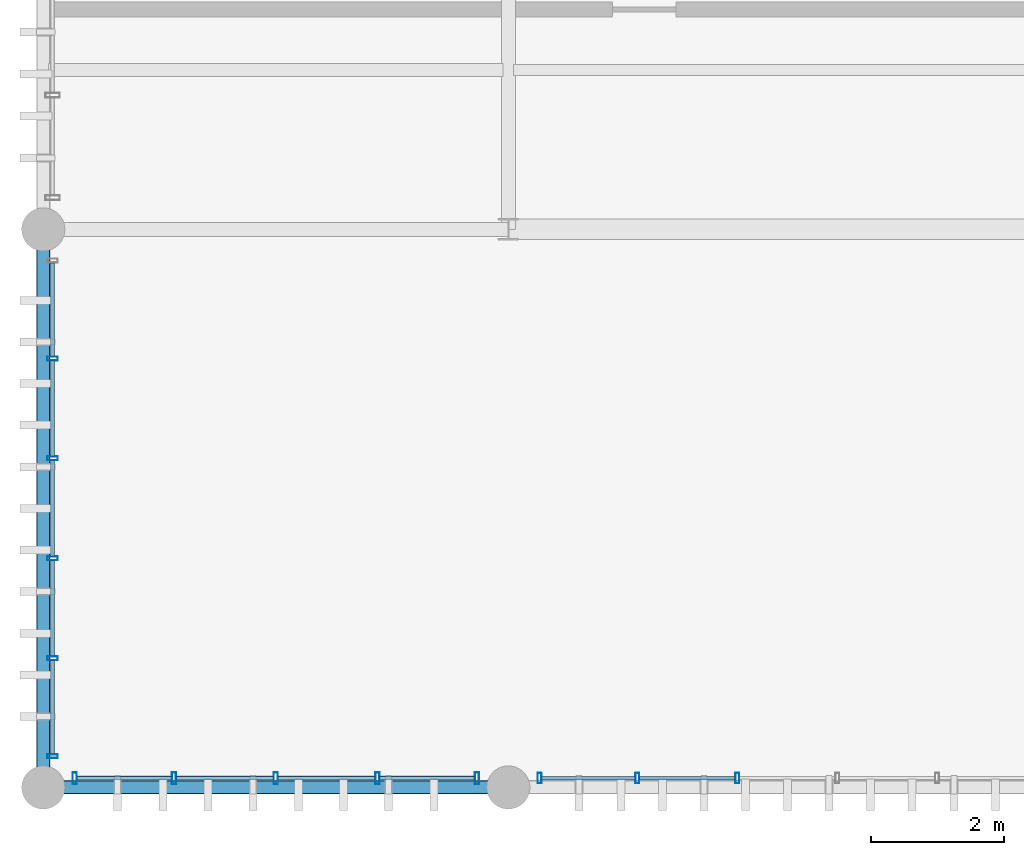
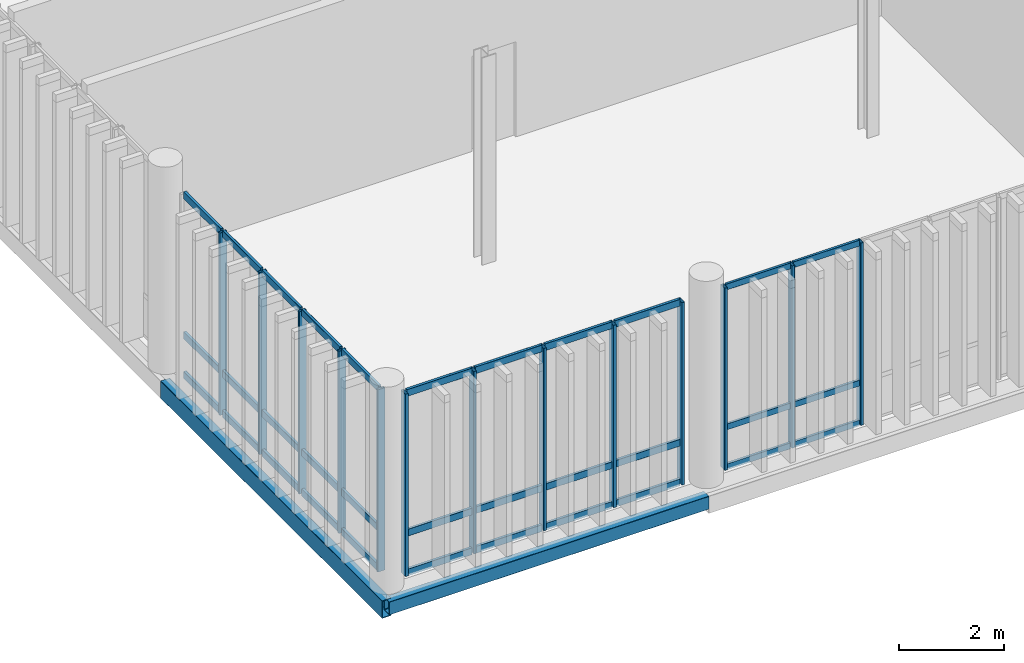
# One storey, part 7 of 86: 46 members, 2 beams, 3 elements without a shape of their own.
"""IFC4 building model written with IfcOpenShell, lengths in metres."""

from ifc_helpers import new_model, si_unit, direction, frame, origin_with_axes, origin_2d_with_axis, place, context, subcontext, project, spatial, hollow_rectangle, extrude, material, material_profile, profile_set, type_object, element, aggregate, save


model = new_model("IFC4")

# Units and contexts
model_context = context("Model", 3, precision=1e-05, world=origin_with_axes(), true_north=direction((0.0, 1.0)))
body_context = subcontext(model_context, "Body", "Model", "MODEL_VIEW")
ifc_project = project(units=[si_unit("LENGTHUNIT", "METRE"), si_unit("AREAUNIT", "SQUARE_METRE"), si_unit("VOLUMEUNIT", "CUBIC_METRE"), si_unit("PLANEANGLEUNIT", "RADIAN"), si_unit("MASSUNIT", "GRAM", prefix="KILO"), si_unit("THERMODYNAMICTEMPERATUREUNIT", "KELVIN")], contexts=[model_context])

# Site, building, storey
site_placement = place(None, origin_with_axes())
site = spatial("IfcSite", under=ifc_project, at=site_placement, CompositionType="ELEMENT")
building_placement = place(site_placement, origin_with_axes())
building = spatial("IfcBuilding", under=site, at=building_placement, Name="Montbau Bow Law Courts", CompositionType="ELEMENT")
storey_placement = place(building_placement, frame((0.0, 0.0, 29.7), z_axis=(0.0, 0.0, 1.0), x_axis=(1.0, 0.0, 0.0)))
storey = spatial("IfcBuildingStorey", under=building, at=storey_placement, Name="L06", CompositionType="ELEMENT", Elevation=29.7)

# Beams
ifc_material_1 = material(Name="Steel CSA G40.21 Grade 350WT (350 MPa)", Category="steel")
ifc_material_profile_1 = material_profile(ifc_material_1, hollow_rectangle(XDim=0.203, YDim=0.406, WallThickness=0.0127, InnerFilletRadius=0.0254, OuterFilletRadius=0.0127, at=origin_2d_with_axis()), Name="HSS406X203X13", Category="Main", Priority=0)
ifc_profile_set_1 = profile_set([ifc_material_profile_1], Name="Steel CSA G40.21 Grade 350WT (350 MPa)")
beam_type_1 = type_object("IfcBeamType", Name="B-SPN-01", PredefinedType="SPANDREL", material=ifc_profile_set_1)
beam_1_placement = place(None, frame((6.8, 30.6, 29.157), z_axis=(0.0, 1.0, 0.0), x_axis=(-1.0, 0.0, 0.0)))
element("IfcBeam", 1, at=beam_1_placement, inside=storey, type_object=beam_type_1, Name="SPN-L06-S0691:bm2_0694", PredefinedType="SPANDREL", context=body_context, shape_type="SweptSolid", body=[
    extrude(hollow_rectangle(XDim=0.203, YDim=0.406, WallThickness=0.0127, InnerFilletRadius=0.0254, OuterFilletRadius=0.0127, at=origin_2d_with_axis()), origin_with_axes(), (0.0, 0.0, 1.0), 8.4),
])
ifc_material_profile_2 = material_profile(ifc_material_1, hollow_rectangle(XDim=0.203, YDim=0.305, WallThickness=0.0127, InnerFilletRadius=0.0254, OuterFilletRadius=0.0127, at=origin_2d_with_axis()), Name="HSS305X203X13", Category="Main", Priority=0)
ifc_profile_set_2 = profile_set([ifc_material_profile_2], Name="Steel CSA G40.21 Grade 350WT (350 MPa)")
beam_type_2 = type_object("IfcBeamType", Name="B-SPN-02", PredefinedType="SPANDREL", material=ifc_profile_set_2)
beam_2_placement = place(None, frame((6.8, 30.6, 29.207), z_axis=(1.0, 0.0, 0.0), x_axis=(0.0, 1.0, 0.0)))
element("IfcBeam", 2, at=beam_2_placement, inside=storey, type_object=beam_type_2, Name="SPN-L06-S0666:bm2_0669", PredefinedType="SPANDREL", context=body_context, shape_type="SweptSolid", body=[
    extrude(hollow_rectangle(XDim=0.203, YDim=0.305, WallThickness=0.0127, InnerFilletRadius=0.0254, OuterFilletRadius=0.0127, at=origin_2d_with_axis()), origin_with_axes(), (0.0, 0.0, 1.0), 7.0),
])

# Curtain wall, members
ifc_material_2 = material(Name="Thermally Broken Extruded Aluminium AA 6063-T6", Category="aluminium")
curtain_wall_type = type_object("IfcCurtainWallType", Name="CW-TRC-02", PredefinedType="NOTDEFINED", material=ifc_material_2)
curtain_wall_1_placement = place(None, frame((7.24, 30.74, 29.7), z_axis=(0.0, 0.0, 1.0), x_axis=(1.0, 0.0, 0.0)))
curtain_wall_1 = element("IfcCurtainWall", 3, at=curtain_wall_1_placement, inside=storey, type_object=curtain_wall_type, Name="CW-L06-094:cw_0094", PredefinedType="NOTDEFINED")
ifc_material_profile_3 = material_profile(ifc_material_2, hollow_rectangle(XDim=0.065, YDim=0.18, WallThickness=0.005, InnerFilletRadius=0.01, OuterFilletRadius=0.005, at=origin_2d_with_axis()), Name="CWM-180X65", Category="Main", Priority=0)
ifc_profile_set_3 = profile_set([ifc_material_profile_3], Name="Thermally Broken Extruded Aluminium AA 6063-T6")
member_type_1 = type_object("IfcMemberType", Name="M-MUL-02", PredefinedType="MULLION", material=ifc_profile_set_3)
member_1_placement = place(None, frame((7.273, 30.74, 29.7), z_axis=(0.0, 0.0, 1.0), x_axis=(1.0, 0.0, 0.0)))
member_1 = element("IfcMember", 4, at=member_1_placement, type_object=member_type_1, Name="CW-L06-094-M01:cw_0094_M01", PredefinedType="MULLION", context=body_context, shape_type="SweptSolid", body=[
    extrude(hollow_rectangle(XDim=0.065, YDim=0.18, WallThickness=0.005, InnerFilletRadius=0.01, OuterFilletRadius=0.005, at=origin_2d_with_axis()), origin_with_axes(), (0.0, 0.0, 1.0), 4.22),
])
member_2_placement = place(None, frame((8.77, 30.74, 29.7), z_axis=(0.0, 0.0, 1.0), x_axis=(1.0, 0.0, 0.0)))
member_2 = element("IfcMember", 5, at=member_2_placement, type_object=member_type_1, Name="CW-L06-094-M02:cw_0094_M02", PredefinedType="MULLION", context=body_context, shape_type="SweptSolid", body=[
    extrude(hollow_rectangle(XDim=0.065, YDim=0.18, WallThickness=0.005, InnerFilletRadius=0.01, OuterFilletRadius=0.005, at=origin_2d_with_axis()), origin_with_axes(), (0.0, 0.0, 1.0), 4.22),
])
member_3_placement = place(None, frame((10.3, 30.74, 29.7), z_axis=(0.0, 0.0, 1.0), x_axis=(1.0, 0.0, 0.0)))
member_3 = element("IfcMember", 6, at=member_3_placement, type_object=member_type_1, Name="CW-L06-094-M03:cw_0094_M03", PredefinedType="MULLION", context=body_context, shape_type="SweptSolid", body=[
    extrude(hollow_rectangle(XDim=0.065, YDim=0.18, WallThickness=0.005, InnerFilletRadius=0.01, OuterFilletRadius=0.005, at=origin_2d_with_axis()), origin_with_axes(), (0.0, 0.0, 1.0), 4.22),
])
member_4_placement = place(None, frame((11.83, 30.74, 29.7), z_axis=(0.0, 0.0, 1.0), x_axis=(1.0, 0.0, 0.0)))
member_4 = element("IfcMember", 7, at=member_4_placement, type_object=member_type_1, Name="CW-L06-094-M04:cw_0094_M04", PredefinedType="MULLION", context=body_context, shape_type="SweptSolid", body=[
    extrude(hollow_rectangle(XDim=0.065, YDim=0.18, WallThickness=0.005, InnerFilletRadius=0.01, OuterFilletRadius=0.005, at=origin_2d_with_axis()), origin_with_axes(), (0.0, 0.0, 1.0), 4.22),
])
member_5_placement = place(None, frame((13.327, 30.74, 29.7), z_axis=(0.0, 0.0, 1.0), x_axis=(1.0, 0.0, 0.0)))
member_5 = element("IfcMember", 8, at=member_5_placement, type_object=member_type_1, Name="CW-L06-094-M05:cw_0094_M05", PredefinedType="MULLION", context=body_context, shape_type="SweptSolid", body=[
    extrude(hollow_rectangle(XDim=0.065, YDim=0.18, WallThickness=0.005, InnerFilletRadius=0.01, OuterFilletRadius=0.005, at=origin_2d_with_axis()), origin_with_axes(), (0.0, 0.0, 1.0), 4.22),
])

curtain_wall_2_placement = place(None, frame((14.24, 30.74, 29.7), z_axis=(0.0, 0.0, 1.0), x_axis=(1.0, 0.0, 0.0)))
curtain_wall_2 = element("IfcCurtainWall", 9, at=curtain_wall_2_placement, inside=storey, type_object=curtain_wall_type, Name="CW-L06-095:cw_0095", PredefinedType="NOTDEFINED")
ifc_material_profile_4 = material_profile(ifc_material_2, hollow_rectangle(XDim=0.06, YDim=0.16, WallThickness=0.004, InnerFilletRadius=0.008, OuterFilletRadius=0.004, at=origin_2d_with_axis()), Name="CWM-160X60", Category="Main", Priority=0)
ifc_profile_set_4 = profile_set([ifc_material_profile_4], Name="Thermally Broken Extruded Aluminium AA 6063-T6")
member_type_2 = type_object("IfcMemberType", Name="M-MUL-03", PredefinedType="MULLION", material=ifc_profile_set_4)
member_6_placement = place(None, frame((14.27, 30.74, 29.7), z_axis=(0.0, 0.0, 1.0), x_axis=(1.0, 0.0, 0.0)))
member_6 = element("IfcMember", 10, at=member_6_placement, type_object=member_type_2, Name="CW-L06-095-M01:cw_0095_M01", PredefinedType="MULLION", context=body_context, shape_type="SweptSolid", body=[
    extrude(hollow_rectangle(XDim=0.06, YDim=0.16, WallThickness=0.004, InnerFilletRadius=0.008, OuterFilletRadius=0.004, at=origin_2d_with_axis()), origin_with_axes(), (0.0, 0.0, 1.0), 4.22),
])
member_7_placement = place(None, frame((15.744, 30.74, 29.7), z_axis=(0.0, 0.0, 1.0), x_axis=(1.0, 0.0, 0.0)))
member_7 = element("IfcMember", 11, at=member_7_placement, type_object=member_type_2, Name="CW-L06-095-M02:cw_0095_M02", PredefinedType="MULLION", context=body_context, shape_type="SweptSolid", body=[
    extrude(hollow_rectangle(XDim=0.06, YDim=0.16, WallThickness=0.004, InnerFilletRadius=0.008, OuterFilletRadius=0.004, at=origin_2d_with_axis()), origin_with_axes(), (0.0, 0.0, 1.0), 4.22),
])
member_8_placement = place(None, frame((17.248, 30.74, 29.7), z_axis=(0.0, 0.0, 1.0), x_axis=(1.0, 0.0, 0.0)))
member_8 = element("IfcMember", 12, at=member_8_placement, type_object=member_type_2, Name="CW-L06-095-M03:cw_0095_M03", PredefinedType="MULLION", context=body_context, shape_type="SweptSolid", body=[
    extrude(hollow_rectangle(XDim=0.06, YDim=0.16, WallThickness=0.004, InnerFilletRadius=0.008, OuterFilletRadius=0.004, at=origin_2d_with_axis()), origin_with_axes(), (0.0, 0.0, 1.0), 4.22),
])

curtain_wall_3_placement = place(None, frame((6.94, 31.04, 29.7), z_axis=(0.0, 0.0, 1.0), x_axis=(1.0, 0.0, 0.0)))
curtain_wall_3 = element("IfcCurtainWall", 13, at=curtain_wall_3_placement, inside=storey, type_object=curtain_wall_type, Name="CW-L06-104:cw_0104", PredefinedType="NOTDEFINED")
member_9_placement = place(None, frame((6.94, 31.07, 29.7), z_axis=(0.0, 0.0, 1.0), x_axis=(0.0, 1.0, 0.0)))
member_9 = element("IfcMember", 14, at=member_9_placement, type_object=member_type_2, Name="CW-L06-104-M01:cw_0104_M01", PredefinedType="MULLION", context=body_context, shape_type="SweptSolid", body=[
    extrude(hollow_rectangle(XDim=0.06, YDim=0.16, WallThickness=0.004, InnerFilletRadius=0.008, OuterFilletRadius=0.004, at=origin_2d_with_axis()), origin_with_axes(), (0.0, 0.0, 1.0), 4.22),
])
member_10_placement = place(None, frame((6.94, 32.544, 29.7), z_axis=(0.0, 0.0, 1.0), x_axis=(0.0, 1.0, 0.0)))
member_10 = element("IfcMember", 15, at=member_10_placement, type_object=member_type_2, Name="CW-L06-104-M02:cw_0104_M02", PredefinedType="MULLION", context=body_context, shape_type="SweptSolid", body=[
    extrude(hollow_rectangle(XDim=0.06, YDim=0.16, WallThickness=0.004, InnerFilletRadius=0.008, OuterFilletRadius=0.004, at=origin_2d_with_axis()), origin_with_axes(), (0.0, 0.0, 1.0), 4.22),
])
member_11_placement = place(None, frame((6.94, 34.048, 29.7), z_axis=(0.0, 0.0, 1.0), x_axis=(0.0, 1.0, 0.0)))
member_11 = element("IfcMember", 16, at=member_11_placement, type_object=member_type_2, Name="CW-L06-104-M03:cw_0104_M03", PredefinedType="MULLION", context=body_context, shape_type="SweptSolid", body=[
    extrude(hollow_rectangle(XDim=0.06, YDim=0.16, WallThickness=0.004, InnerFilletRadius=0.008, OuterFilletRadius=0.004, at=origin_2d_with_axis()), origin_with_axes(), (0.0, 0.0, 1.0), 4.22),
])
member_12_placement = place(None, frame((6.94, 35.552, 29.7), z_axis=(0.0, 0.0, 1.0), x_axis=(0.0, 1.0, 0.0)))
member_12 = element("IfcMember", 17, at=member_12_placement, type_object=member_type_2, Name="CW-L06-104-M04:cw_0104_M04", PredefinedType="MULLION", context=body_context, shape_type="SweptSolid", body=[
    extrude(hollow_rectangle(XDim=0.06, YDim=0.16, WallThickness=0.004, InnerFilletRadius=0.008, OuterFilletRadius=0.004, at=origin_2d_with_axis()), origin_with_axes(), (0.0, 0.0, 1.0), 4.22),
])
member_13_placement = place(None, frame((6.94, 37.056, 29.7), z_axis=(0.0, 0.0, 1.0), x_axis=(0.0, 1.0, 0.0)))
member_13 = element("IfcMember", 18, at=member_13_placement, type_object=member_type_2, Name="CW-L06-104-M05:cw_0104_M05", PredefinedType="MULLION", context=body_context, shape_type="SweptSolid", body=[
    extrude(hollow_rectangle(XDim=0.06, YDim=0.16, WallThickness=0.004, InnerFilletRadius=0.008, OuterFilletRadius=0.004, at=origin_2d_with_axis()), origin_with_axes(), (0.0, 0.0, 1.0), 4.22),
])

# Member
ifc_material_profile_5 = material_profile(ifc_material_2, hollow_rectangle(XDim=0.06, YDim=0.16, WallThickness=0.004, InnerFilletRadius=0.008, OuterFilletRadius=0.004, at=origin_2d_with_axis()), Name="CWT-160X60", Category="Main", Priority=0)
ifc_profile_set_5 = profile_set([ifc_material_profile_5], Name="Thermally Broken Extruded Aluminium AA 6063-T6")
member_type_3 = type_object("IfcMemberType", Name="M-TRN-01", PredefinedType="USERDEFINED", material=ifc_profile_set_5)
member_14_placement = place(None, frame((7.308, 30.74, 29.73), z_axis=(1.0, 0.0, 0.0), x_axis=(0.0, 1.0, 0.0)))
member_14 = element("IfcMember", 19, at=member_14_placement, type_object=member_type_3, Name="CW-L06-094-T01-1:cw_0094_T01_1", ObjectType="TRANSOM", PredefinedType="USERDEFINED", context=body_context, shape_type="SweptSolid", body=[
    extrude(hollow_rectangle(XDim=0.06, YDim=0.16, WallThickness=0.004, InnerFilletRadius=0.008, OuterFilletRadius=0.004, at=origin_2d_with_axis()), origin_with_axes(), (0.0, 0.0, 1.0), 1.428),
])

member_15_placement = place(None, frame((7.308, 30.74, 30.65), z_axis=(1.0, 0.0, 0.0), x_axis=(0.0, 1.0, 0.0)))
member_15 = element("IfcMember", 20, at=member_15_placement, type_object=member_type_3, Name="CW-L06-094-T01-2:cw_0094_T01_2", ObjectType="TRANSOM", PredefinedType="USERDEFINED", context=body_context, shape_type="SweptSolid", body=[
    extrude(hollow_rectangle(XDim=0.06, YDim=0.16, WallThickness=0.004, InnerFilletRadius=0.008, OuterFilletRadius=0.004, at=origin_2d_with_axis()), origin_with_axes(), (0.0, 0.0, 1.0), 1.428),
])

member_16_placement = place(None, frame((7.308, 30.74, 33.89), z_axis=(1.0, 0.0, 0.0), x_axis=(0.0, 1.0, 0.0)))
member_16 = element("IfcMember", 21, at=member_16_placement, type_object=member_type_3, Name="CW-L06-094-T01-3:cw_0094_T01_3", ObjectType="TRANSOM", PredefinedType="USERDEFINED", context=body_context, shape_type="SweptSolid", body=[
    extrude(hollow_rectangle(XDim=0.06, YDim=0.16, WallThickness=0.004, InnerFilletRadius=0.008, OuterFilletRadius=0.004, at=origin_2d_with_axis()), origin_with_axes(), (0.0, 0.0, 1.0), 1.428),
])

member_17_placement = place(None, frame((8.805, 30.74, 29.73), z_axis=(1.0, 0.0, 0.0), x_axis=(0.0, 1.0, 0.0)))
member_17 = element("IfcMember", 22, at=member_17_placement, type_object=member_type_3, Name="CW-L06-094-T02-1:cw_0094_T02_1", ObjectType="TRANSOM", PredefinedType="USERDEFINED", context=body_context, shape_type="SweptSolid", body=[
    extrude(hollow_rectangle(XDim=0.06, YDim=0.16, WallThickness=0.004, InnerFilletRadius=0.008, OuterFilletRadius=0.004, at=origin_2d_with_axis()), origin_with_axes(), (0.0, 0.0, 1.0), 1.461),
])

member_18_placement = place(None, frame((8.805, 30.74, 30.65), z_axis=(1.0, 0.0, 0.0), x_axis=(0.0, 1.0, 0.0)))
member_18 = element("IfcMember", 23, at=member_18_placement, type_object=member_type_3, Name="CW-L06-094-T02-2:cw_0094_T02_2", ObjectType="TRANSOM", PredefinedType="USERDEFINED", context=body_context, shape_type="SweptSolid", body=[
    extrude(hollow_rectangle(XDim=0.06, YDim=0.16, WallThickness=0.004, InnerFilletRadius=0.008, OuterFilletRadius=0.004, at=origin_2d_with_axis()), origin_with_axes(), (0.0, 0.0, 1.0), 1.461),
])

member_19_placement = place(None, frame((8.805, 30.74, 33.89), z_axis=(1.0, 0.0, 0.0), x_axis=(0.0, 1.0, 0.0)))
member_19 = element("IfcMember", 24, at=member_19_placement, type_object=member_type_3, Name="CW-L06-094-T02-3:cw_0094_T02_3", ObjectType="TRANSOM", PredefinedType="USERDEFINED", context=body_context, shape_type="SweptSolid", body=[
    extrude(hollow_rectangle(XDim=0.06, YDim=0.16, WallThickness=0.004, InnerFilletRadius=0.008, OuterFilletRadius=0.004, at=origin_2d_with_axis()), origin_with_axes(), (0.0, 0.0, 1.0), 1.461),
])

member_20_placement = place(None, frame((10.335, 30.74, 29.73), z_axis=(1.0, 0.0, 0.0), x_axis=(0.0, 1.0, 0.0)))
member_20 = element("IfcMember", 25, at=member_20_placement, type_object=member_type_3, Name="CW-L06-094-T03-1:cw_0094_T03_1", ObjectType="TRANSOM", PredefinedType="USERDEFINED", context=body_context, shape_type="SweptSolid", body=[
    extrude(hollow_rectangle(XDim=0.06, YDim=0.16, WallThickness=0.004, InnerFilletRadius=0.008, OuterFilletRadius=0.004, at=origin_2d_with_axis()), origin_with_axes(), (0.0, 0.0, 1.0), 1.461),
])

member_21_placement = place(None, frame((10.335, 30.74, 30.65), z_axis=(1.0, 0.0, 0.0), x_axis=(0.0, 1.0, 0.0)))
member_21 = element("IfcMember", 26, at=member_21_placement, type_object=member_type_3, Name="CW-L06-094-T03-2:cw_0094_T03_2", ObjectType="TRANSOM", PredefinedType="USERDEFINED", context=body_context, shape_type="SweptSolid", body=[
    extrude(hollow_rectangle(XDim=0.06, YDim=0.16, WallThickness=0.004, InnerFilletRadius=0.008, OuterFilletRadius=0.004, at=origin_2d_with_axis()), origin_with_axes(), (0.0, 0.0, 1.0), 1.461),
])

member_22_placement = place(None, frame((10.335, 30.74, 33.89), z_axis=(1.0, 0.0, 0.0), x_axis=(0.0, 1.0, 0.0)))
member_22 = element("IfcMember", 27, at=member_22_placement, type_object=member_type_3, Name="CW-L06-094-T03-3:cw_0094_T03_3", ObjectType="TRANSOM", PredefinedType="USERDEFINED", context=body_context, shape_type="SweptSolid", body=[
    extrude(hollow_rectangle(XDim=0.06, YDim=0.16, WallThickness=0.004, InnerFilletRadius=0.008, OuterFilletRadius=0.004, at=origin_2d_with_axis()), origin_with_axes(), (0.0, 0.0, 1.0), 1.461),
])

member_23_placement = place(None, frame((11.864, 30.74, 29.73), z_axis=(1.0, 0.0, 0.0), x_axis=(0.0, 1.0, 0.0)))
member_23 = element("IfcMember", 28, at=member_23_placement, type_object=member_type_3, Name="CW-L06-094-T04-1:cw_0094_T04_1", ObjectType="TRANSOM", PredefinedType="USERDEFINED", context=body_context, shape_type="SweptSolid", body=[
    extrude(hollow_rectangle(XDim=0.06, YDim=0.16, WallThickness=0.004, InnerFilletRadius=0.008, OuterFilletRadius=0.004, at=origin_2d_with_axis()), origin_with_axes(), (0.0, 0.0, 1.0), 1.429),
])

member_24_placement = place(None, frame((11.864, 30.74, 30.65), z_axis=(1.0, 0.0, 0.0), x_axis=(0.0, 1.0, 0.0)))
member_24 = element("IfcMember", 29, at=member_24_placement, type_object=member_type_3, Name="CW-L06-094-T04-2:cw_0094_T04_2", ObjectType="TRANSOM", PredefinedType="USERDEFINED", context=body_context, shape_type="SweptSolid", body=[
    extrude(hollow_rectangle(XDim=0.06, YDim=0.16, WallThickness=0.004, InnerFilletRadius=0.008, OuterFilletRadius=0.004, at=origin_2d_with_axis()), origin_with_axes(), (0.0, 0.0, 1.0), 1.429),
])

member_25_placement = place(None, frame((11.864, 30.74, 33.89), z_axis=(1.0, 0.0, 0.0), x_axis=(0.0, 1.0, 0.0)))
member_25 = element("IfcMember", 30, at=member_25_placement, type_object=member_type_3, Name="CW-L06-094-T04-3:cw_0094_T04_3", ObjectType="TRANSOM", PredefinedType="USERDEFINED", context=body_context, shape_type="SweptSolid", body=[
    extrude(hollow_rectangle(XDim=0.06, YDim=0.16, WallThickness=0.004, InnerFilletRadius=0.008, OuterFilletRadius=0.004, at=origin_2d_with_axis()), origin_with_axes(), (0.0, 0.0, 1.0), 1.429),
])

aggregate(curtain_wall_1, [member_1, member_2, member_3, member_4, member_5, member_14, member_15, member_16, member_17, member_18, member_19, member_20, member_21, member_22, member_23, member_24, member_25])

member_26_placement = place(None, frame((6.94, 31.102, 29.73), z_axis=(0.0, 1.0, 0.0), x_axis=(-1.0, 0.0, 0.0)))
member_26 = element("IfcMember", 31, at=member_26_placement, type_object=member_type_3, Name="CW-L06-104-T01-1:cw_0104_T01_1", ObjectType="TRANSOM", PredefinedType="USERDEFINED", context=body_context, shape_type="SweptSolid", body=[
    extrude(hollow_rectangle(XDim=0.06, YDim=0.16, WallThickness=0.004, InnerFilletRadius=0.008, OuterFilletRadius=0.004, at=origin_2d_with_axis()), origin_with_axes(), (0.0, 0.0, 1.0), 1.41),
])

member_27_placement = place(None, frame((6.94, 31.102, 30.65), z_axis=(0.0, 1.0, 0.0), x_axis=(-1.0, 0.0, 0.0)))
member_27 = element("IfcMember", 32, at=member_27_placement, type_object=member_type_3, Name="CW-L06-104-T01-2:cw_0104_T01_2", ObjectType="TRANSOM", PredefinedType="USERDEFINED", context=body_context, shape_type="SweptSolid", body=[
    extrude(hollow_rectangle(XDim=0.06, YDim=0.16, WallThickness=0.004, InnerFilletRadius=0.008, OuterFilletRadius=0.004, at=origin_2d_with_axis()), origin_with_axes(), (0.0, 0.0, 1.0), 1.41),
])

member_28_placement = place(None, frame((6.94, 31.102, 33.89), z_axis=(0.0, 1.0, 0.0), x_axis=(-1.0, 0.0, 0.0)))
member_28 = element("IfcMember", 33, at=member_28_placement, type_object=member_type_3, Name="CW-L06-104-T01-3:cw_0104_T01_3", ObjectType="TRANSOM", PredefinedType="USERDEFINED", context=body_context, shape_type="SweptSolid", body=[
    extrude(hollow_rectangle(XDim=0.06, YDim=0.16, WallThickness=0.004, InnerFilletRadius=0.008, OuterFilletRadius=0.004, at=origin_2d_with_axis()), origin_with_axes(), (0.0, 0.0, 1.0), 1.41),
])

member_29_placement = place(None, frame((6.94, 32.576, 29.73), z_axis=(0.0, 1.0, 0.0), x_axis=(-1.0, 0.0, 0.0)))
member_29 = element("IfcMember", 34, at=member_29_placement, type_object=member_type_3, Name="CW-L06-104-T02-1:cw_0104_T02_1", ObjectType="TRANSOM", PredefinedType="USERDEFINED", context=body_context, shape_type="SweptSolid", body=[
    extrude(hollow_rectangle(XDim=0.06, YDim=0.16, WallThickness=0.004, InnerFilletRadius=0.008, OuterFilletRadius=0.004, at=origin_2d_with_axis()), origin_with_axes(), (0.0, 0.0, 1.0), 1.44),
])

member_30_placement = place(None, frame((6.94, 32.576, 30.65), z_axis=(0.0, 1.0, 0.0), x_axis=(-1.0, 0.0, 0.0)))
member_30 = element("IfcMember", 35, at=member_30_placement, type_object=member_type_3, Name="CW-L06-104-T02-2:cw_0104_T02_2", ObjectType="TRANSOM", PredefinedType="USERDEFINED", context=body_context, shape_type="SweptSolid", body=[
    extrude(hollow_rectangle(XDim=0.06, YDim=0.16, WallThickness=0.004, InnerFilletRadius=0.008, OuterFilletRadius=0.004, at=origin_2d_with_axis()), origin_with_axes(), (0.0, 0.0, 1.0), 1.44),
])

member_31_placement = place(None, frame((6.94, 32.576, 33.89), z_axis=(0.0, 1.0, 0.0), x_axis=(-1.0, 0.0, 0.0)))
member_31 = element("IfcMember", 36, at=member_31_placement, type_object=member_type_3, Name="CW-L06-104-T02-3:cw_0104_T02_3", ObjectType="TRANSOM", PredefinedType="USERDEFINED", context=body_context, shape_type="SweptSolid", body=[
    extrude(hollow_rectangle(XDim=0.06, YDim=0.16, WallThickness=0.004, InnerFilletRadius=0.008, OuterFilletRadius=0.004, at=origin_2d_with_axis()), origin_with_axes(), (0.0, 0.0, 1.0), 1.44),
])

member_32_placement = place(None, frame((6.94, 34.08, 29.73), z_axis=(0.0, 1.0, 0.0), x_axis=(-1.0, 0.0, 0.0)))
member_32 = element("IfcMember", 37, at=member_32_placement, type_object=member_type_3, Name="CW-L06-104-T03-1:cw_0104_T03_1", ObjectType="TRANSOM", PredefinedType="USERDEFINED", context=body_context, shape_type="SweptSolid", body=[
    extrude(hollow_rectangle(XDim=0.06, YDim=0.16, WallThickness=0.004, InnerFilletRadius=0.008, OuterFilletRadius=0.004, at=origin_2d_with_axis()), origin_with_axes(), (0.0, 0.0, 1.0), 1.44),
])

member_33_placement = place(None, frame((6.94, 34.08, 30.65), z_axis=(0.0, 1.0, 0.0), x_axis=(-1.0, 0.0, 0.0)))
member_33 = element("IfcMember", 38, at=member_33_placement, type_object=member_type_3, Name="CW-L06-104-T03-2:cw_0104_T03_2", ObjectType="TRANSOM", PredefinedType="USERDEFINED", context=body_context, shape_type="SweptSolid", body=[
    extrude(hollow_rectangle(XDim=0.06, YDim=0.16, WallThickness=0.004, InnerFilletRadius=0.008, OuterFilletRadius=0.004, at=origin_2d_with_axis()), origin_with_axes(), (0.0, 0.0, 1.0), 1.44),
])

member_34_placement = place(None, frame((6.94, 34.08, 33.89), z_axis=(0.0, 1.0, 0.0), x_axis=(-1.0, 0.0, 0.0)))
member_34 = element("IfcMember", 39, at=member_34_placement, type_object=member_type_3, Name="CW-L06-104-T03-3:cw_0104_T03_3", ObjectType="TRANSOM", PredefinedType="USERDEFINED", context=body_context, shape_type="SweptSolid", body=[
    extrude(hollow_rectangle(XDim=0.06, YDim=0.16, WallThickness=0.004, InnerFilletRadius=0.008, OuterFilletRadius=0.004, at=origin_2d_with_axis()), origin_with_axes(), (0.0, 0.0, 1.0), 1.44),
])

member_35_placement = place(None, frame((6.94, 35.584, 29.73), z_axis=(0.0, 1.0, 0.0), x_axis=(-1.0, 0.0, 0.0)))
member_35 = element("IfcMember", 40, at=member_35_placement, type_object=member_type_3, Name="CW-L06-104-T04-1:cw_0104_T04_1", ObjectType="TRANSOM", PredefinedType="USERDEFINED", context=body_context, shape_type="SweptSolid", body=[
    extrude(hollow_rectangle(XDim=0.06, YDim=0.16, WallThickness=0.004, InnerFilletRadius=0.008, OuterFilletRadius=0.004, at=origin_2d_with_axis()), origin_with_axes(), (0.0, 0.0, 1.0), 1.44),
])

member_36_placement = place(None, frame((6.94, 35.584, 30.65), z_axis=(0.0, 1.0, 0.0), x_axis=(-1.0, 0.0, 0.0)))
member_36 = element("IfcMember", 41, at=member_36_placement, type_object=member_type_3, Name="CW-L06-104-T04-2:cw_0104_T04_2", ObjectType="TRANSOM", PredefinedType="USERDEFINED", context=body_context, shape_type="SweptSolid", body=[
    extrude(hollow_rectangle(XDim=0.06, YDim=0.16, WallThickness=0.004, InnerFilletRadius=0.008, OuterFilletRadius=0.004, at=origin_2d_with_axis()), origin_with_axes(), (0.0, 0.0, 1.0), 1.44),
])

member_37_placement = place(None, frame((6.94, 35.584, 33.89), z_axis=(0.0, 1.0, 0.0), x_axis=(-1.0, 0.0, 0.0)))
member_37 = element("IfcMember", 42, at=member_37_placement, type_object=member_type_3, Name="CW-L06-104-T04-3:cw_0104_T04_3", ObjectType="TRANSOM", PredefinedType="USERDEFINED", context=body_context, shape_type="SweptSolid", body=[
    extrude(hollow_rectangle(XDim=0.06, YDim=0.16, WallThickness=0.004, InnerFilletRadius=0.008, OuterFilletRadius=0.004, at=origin_2d_with_axis()), origin_with_axes(), (0.0, 0.0, 1.0), 1.44),
])

member_38_placement = place(None, frame((6.94, 37.088, 29.73), z_axis=(0.0, 1.0, 0.0), x_axis=(-1.0, 0.0, 0.0)))
member_38 = element("IfcMember", 43, at=member_38_placement, type_object=member_type_3, Name="CW-L06-104-T05-1:cw_0104_T05_1", ObjectType="TRANSOM", PredefinedType="USERDEFINED", context=body_context, shape_type="SweptSolid", body=[
    extrude(hollow_rectangle(XDim=0.06, YDim=0.16, WallThickness=0.004, InnerFilletRadius=0.008, OuterFilletRadius=0.004, at=origin_2d_with_axis()), origin_with_axes(), (0.0, 0.0, 1.0), 1.41),
])

member_39_placement = place(None, frame((6.94, 37.088, 30.65), z_axis=(0.0, 1.0, 0.0), x_axis=(-1.0, 0.0, 0.0)))
member_39 = element("IfcMember", 44, at=member_39_placement, type_object=member_type_3, Name="CW-L06-104-T05-2:cw_0104_T05_2", ObjectType="TRANSOM", PredefinedType="USERDEFINED", context=body_context, shape_type="SweptSolid", body=[
    extrude(hollow_rectangle(XDim=0.06, YDim=0.16, WallThickness=0.004, InnerFilletRadius=0.008, OuterFilletRadius=0.004, at=origin_2d_with_axis()), origin_with_axes(), (0.0, 0.0, 1.0), 1.41),
])

member_40_placement = place(None, frame((6.94, 37.088, 33.89), z_axis=(0.0, 1.0, 0.0), x_axis=(-1.0, 0.0, 0.0)))
member_40 = element("IfcMember", 45, at=member_40_placement, type_object=member_type_3, Name="CW-L06-104-T05-3:cw_0104_T05_3", ObjectType="TRANSOM", PredefinedType="USERDEFINED", context=body_context, shape_type="SweptSolid", body=[
    extrude(hollow_rectangle(XDim=0.06, YDim=0.16, WallThickness=0.004, InnerFilletRadius=0.008, OuterFilletRadius=0.004, at=origin_2d_with_axis()), origin_with_axes(), (0.0, 0.0, 1.0), 1.41),
])

aggregate(curtain_wall_3, [member_9, member_10, member_11, member_12, member_13, member_26, member_27, member_28, member_29, member_30, member_31, member_32, member_33, member_34, member_35, member_36, member_37, member_38, member_39, member_40])

ifc_material_profile_6 = material_profile(ifc_material_2, hollow_rectangle(XDim=0.055, YDim=0.14, WallThickness=0.004, InnerFilletRadius=0.008, OuterFilletRadius=0.004, at=origin_2d_with_axis()), Name="CWT-140X55", Category="Main", Priority=0)
ifc_profile_set_6 = profile_set([ifc_material_profile_6], Name="Thermally Broken Extruded Aluminium AA 6063-T6")
member_type_4 = type_object("IfcMemberType", Name="M-TRN-02", PredefinedType="USERDEFINED", material=ifc_profile_set_6)
member_41_placement = place(None, frame((14.302, 30.74, 29.727), z_axis=(1.0, 0.0, 0.0), x_axis=(0.0, 1.0, 0.0)))
member_41 = element("IfcMember", 46, at=member_41_placement, type_object=member_type_4, Name="CW-L06-095-T01-1:cw_0095_T01_1", ObjectType="TRANSOM", PredefinedType="USERDEFINED", context=body_context, shape_type="SweptSolid", body=[
    extrude(hollow_rectangle(XDim=0.055, YDim=0.14, WallThickness=0.004, InnerFilletRadius=0.008, OuterFilletRadius=0.004, at=origin_2d_with_axis()), origin_with_axes(), (0.0, 0.0, 1.0), 1.41),
])

member_42_placement = place(None, frame((14.302, 30.74, 30.65), z_axis=(1.0, 0.0, 0.0), x_axis=(0.0, 1.0, 0.0)))
member_42 = element("IfcMember", 47, at=member_42_placement, type_object=member_type_4, Name="CW-L06-095-T01-2:cw_0095_T01_2", ObjectType="TRANSOM", PredefinedType="USERDEFINED", context=body_context, shape_type="SweptSolid", body=[
    extrude(hollow_rectangle(XDim=0.055, YDim=0.14, WallThickness=0.004, InnerFilletRadius=0.008, OuterFilletRadius=0.004, at=origin_2d_with_axis()), origin_with_axes(), (0.0, 0.0, 1.0), 1.41),
])

member_43_placement = place(None, frame((14.302, 30.74, 33.892), z_axis=(1.0, 0.0, 0.0), x_axis=(0.0, 1.0, 0.0)))
member_43 = element("IfcMember", 48, at=member_43_placement, type_object=member_type_4, Name="CW-L06-095-T01-3:cw_0095_T01_3", ObjectType="TRANSOM", PredefinedType="USERDEFINED", context=body_context, shape_type="SweptSolid", body=[
    extrude(hollow_rectangle(XDim=0.055, YDim=0.14, WallThickness=0.004, InnerFilletRadius=0.008, OuterFilletRadius=0.004, at=origin_2d_with_axis()), origin_with_axes(), (0.0, 0.0, 1.0), 1.41),
])

member_44_placement = place(None, frame((15.776, 30.74, 29.727), z_axis=(1.0, 0.0, 0.0), x_axis=(0.0, 1.0, 0.0)))
member_44 = element("IfcMember", 49, at=member_44_placement, type_object=member_type_4, Name="CW-L06-095-T02-1:cw_0095_T02_1", ObjectType="TRANSOM", PredefinedType="USERDEFINED", context=body_context, shape_type="SweptSolid", body=[
    extrude(hollow_rectangle(XDim=0.055, YDim=0.14, WallThickness=0.004, InnerFilletRadius=0.008, OuterFilletRadius=0.004, at=origin_2d_with_axis()), origin_with_axes(), (0.0, 0.0, 1.0), 1.44),
])

member_45_placement = place(None, frame((15.776, 30.74, 30.65), z_axis=(1.0, 0.0, 0.0), x_axis=(0.0, 1.0, 0.0)))
member_45 = element("IfcMember", 50, at=member_45_placement, type_object=member_type_4, Name="CW-L06-095-T02-2:cw_0095_T02_2", ObjectType="TRANSOM", PredefinedType="USERDEFINED", context=body_context, shape_type="SweptSolid", body=[
    extrude(hollow_rectangle(XDim=0.055, YDim=0.14, WallThickness=0.004, InnerFilletRadius=0.008, OuterFilletRadius=0.004, at=origin_2d_with_axis()), origin_with_axes(), (0.0, 0.0, 1.0), 1.44),
])

member_46_placement = place(None, frame((15.776, 30.74, 33.892), z_axis=(1.0, 0.0, 0.0), x_axis=(0.0, 1.0, 0.0)))
member_46 = element("IfcMember", 51, at=member_46_placement, type_object=member_type_4, Name="CW-L06-095-T02-3:cw_0095_T02_3", ObjectType="TRANSOM", PredefinedType="USERDEFINED", context=body_context, shape_type="SweptSolid", body=[
    extrude(hollow_rectangle(XDim=0.055, YDim=0.14, WallThickness=0.004, InnerFilletRadius=0.008, OuterFilletRadius=0.004, at=origin_2d_with_axis()), origin_with_axes(), (0.0, 0.0, 1.0), 1.44),
])

aggregate(curtain_wall_2, [member_6, member_7, member_8, member_41, member_42, member_43, member_44, member_45, member_46])

save(model, "model.ifc")
